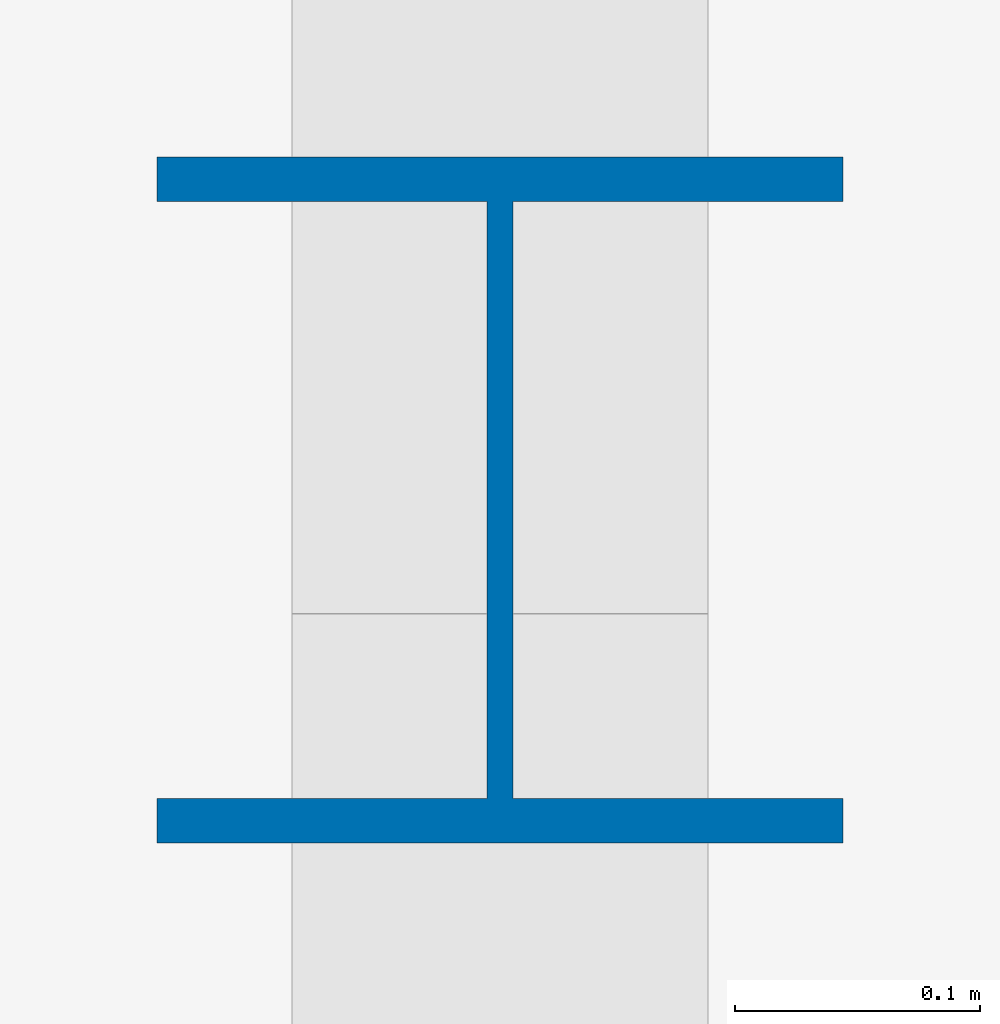
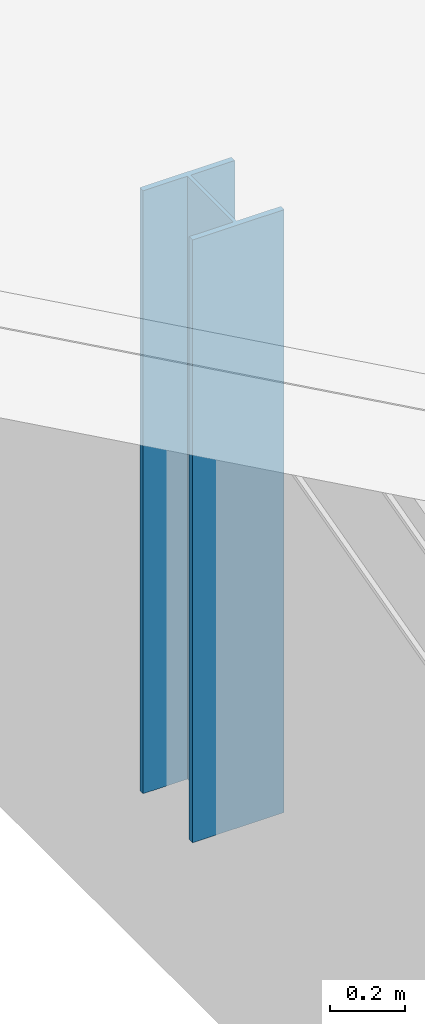
# One storey, part 3 of 157: 1 column.
"""IFC4 building model written with IfcOpenShell, lengths in metres."""

from ifc_helpers import new_model, si_unit, direction, frame, origin, origin_2d, place, context, subcontext, project, spatial, i_section, extrude, material, material_profile, profile_set, type_object, element, save


model = new_model("IFC4")

# Units and contexts
model_context = context("Model", 3, precision=1e-05, world=origin(), true_north=direction((0.0, 1.0)))
body_context = subcontext(model_context, "Body", "Model", "MODEL_VIEW")
ifc_project = project(units=[si_unit("LENGTHUNIT", "METRE"), si_unit("AREAUNIT", "SQUARE_METRE"), si_unit("VOLUMEUNIT", "CUBIC_METRE"), si_unit("PLANEANGLEUNIT", "RADIAN"), si_unit("MASSUNIT", "GRAM", prefix="KILO")], contexts=[model_context])

# Site, building, storey
site_placement = place(None, origin())
site = spatial("IfcSite", under=ifc_project, at=site_placement, CompositionType="ELEMENT")
building_placement = place(site_placement, origin())
building = spatial("IfcBuilding", under=site, at=building_placement, Name="Suanplinth Sawtooth Commons", CompositionType="ELEMENT")
storey_placement = place(building_placement, frame((0.0, 0.0, 9.0)))
storey = spatial("IfcBuildingStorey", under=building, at=storey_placement, Name="L02", CompositionType="ELEMENT", Elevation=9.0)

# Column
ifc_material = material(Name="Steel S355JR", Category="steel")
ifc_material_profile = material_profile(ifc_material, i_section(OverallWidth=0.280029296875, OverallDepth=0.280029296875, WebThickness=0.010498046875, FlangeThickness=0.01806640625, at=origin_2d()), Name="HEB 280")
ifc_profile_set = profile_set([ifc_material_profile], Name="Steel S355JR")
column_type = type_object("IfcColumnType", Name="C-11", PredefinedType="COLUMN", material=ifc_profile_set)
column_placement = place(storey_placement, frame((57.60009765625, 57.60009765625, 0.0), z_axis=(0.0, 0.0, 1.0), x_axis=(1.0, 0.0, 0.0)))
element("IfcColumn", 1, at=column_placement, inside=storey, type_object=column_type, Name="Market Mid-Span Post 9", PredefinedType="COLUMN", context=body_context, shape_type="SweptSolid", body=[
    extrude(i_section(OverallWidth=0.280029296875, OverallDepth=0.280029296875, WebThickness=0.010498046875, FlangeThickness=0.01806640625, at=origin_2d()), origin(), (0.0, 0.0, 1.0), 1.949951171875),
])

save(model, "model.ifc")
